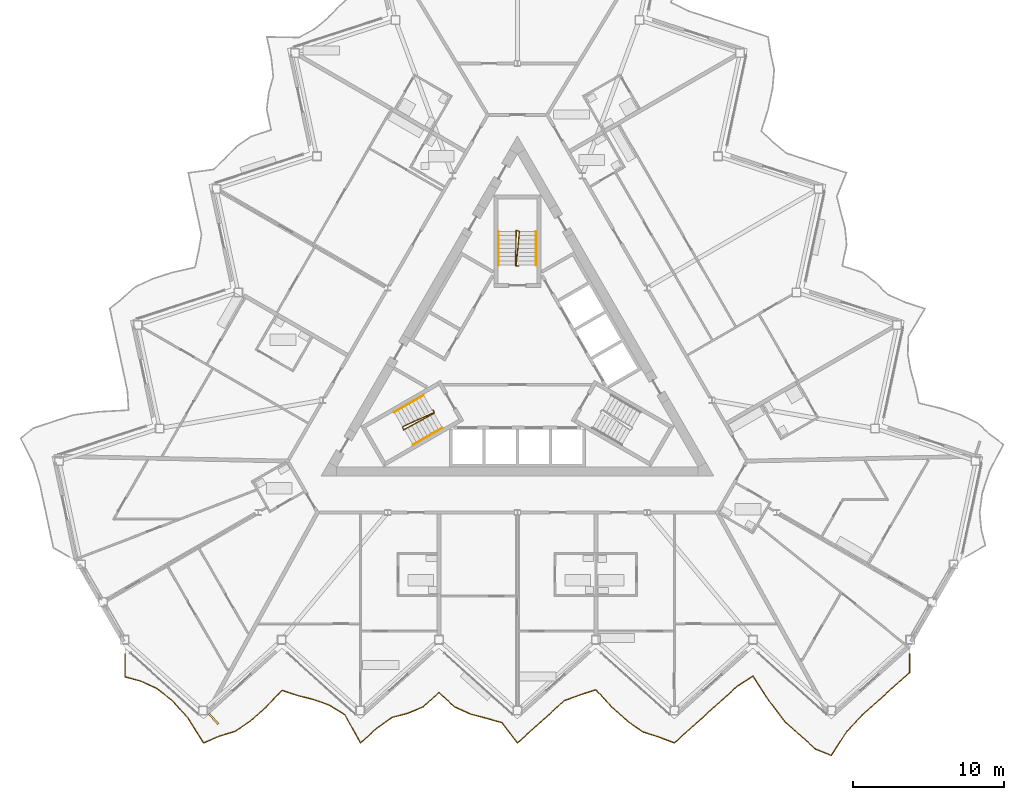
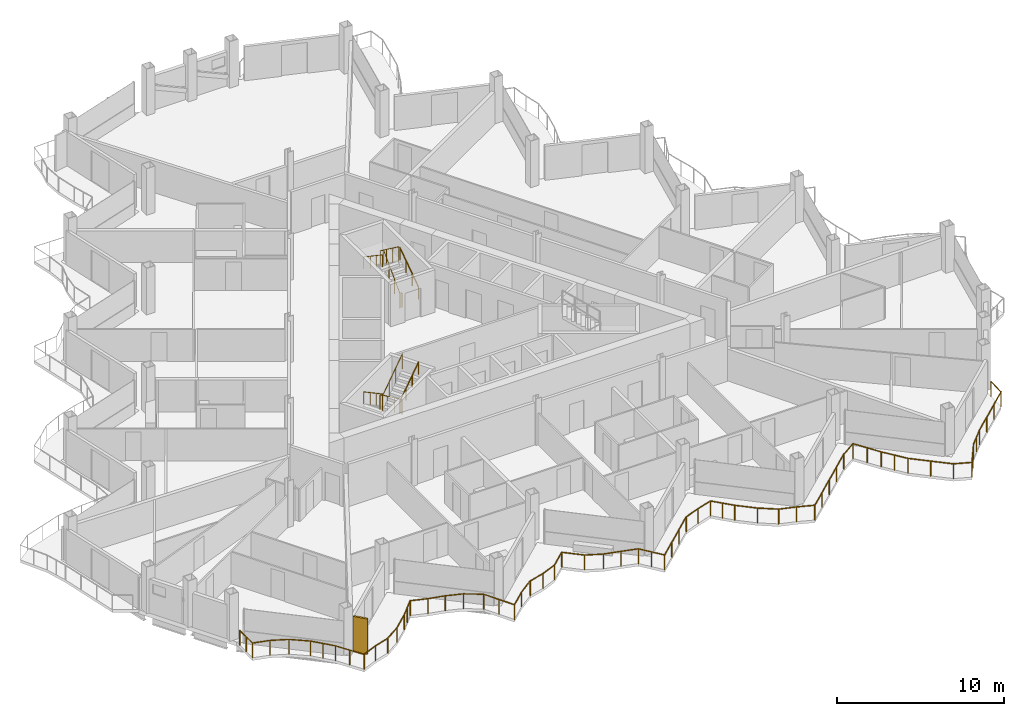
# One storey, part 23 of 27: 7 railings, 1 shading device.
"""IFC4 building model written with IfcOpenShell, lengths in metres."""

from ifc_helpers import new_model, si_unit, direction, frame, origin, origin_2d, place, context, subcontext, project, spatial, rectangle, circle, extrude, material, layer, layer_set, type_object, element, save


model = new_model("IFC4")

# Units and contexts
model_context = context("Model", 3, precision=1e-05, world=origin(), true_north=direction((0.0, 1.0)))
body_context = subcontext(model_context, "Body", "Model", "MODEL_VIEW")
ifc_project = project(units=[si_unit("LENGTHUNIT", "METRE"), si_unit("AREAUNIT", "SQUARE_METRE"), si_unit("VOLUMEUNIT", "CUBIC_METRE"), si_unit("PLANEANGLEUNIT", "RADIAN"), si_unit("MASSUNIT", "GRAM", prefix="KILO")], contexts=[model_context])

# Site, building, storey
site_placement = place(None, origin())
site = spatial("IfcSite", under=ifc_project, at=site_placement, CompositionType="ELEMENT")
building_placement = place(site_placement, origin())
building = spatial("IfcBuilding", under=site, at=building_placement, Name="Cormorant Prow Tower", CompositionType="ELEMENT")
storey_placement = place(building_placement, frame((0.0, 0.0, 318.800048828125)))
storey = spatial("IfcBuildingStorey", under=building, at=storey_placement, Name="L70", CompositionType="ELEMENT", Elevation=318.800048828125)

# Railings
ifc_material_1 = material(Name="Aluminium 6063-T6", Category="aluminium")
railing_type_1 = type_object("IfcRailingType", Name="Balcony guard 1100", PredefinedType="GUARDRAIL", material=ifc_material_1)
railing_1_placement = place(storey_placement, frame((-25.964111328125, -19.2666015625, 0.0)))
element("IfcRailing", 1, at=railing_1_placement, inside=storey, type_object=railing_type_1, Name="Balcony guard S", PredefinedType="GUARDRAIL", context=body_context, shape_type="SweptSolid", body=[
    extrude(circle(Radius=0.02392578125, at=origin_2d()), frame((0.0, 0.0, 1.076171875), z_axis=(0.0, -1.0, 0.0), x_axis=(1.0, 0.0, 0.0)), (0.0, 0.0, 1.0), 1.52001953125),
    extrude(circle(Radius=0.02392578125, at=origin_2d()), frame((0.0, -1.52001953125, 1.076171875), z_axis=(0.964831830716, -0.262867910625, 0.0), x_axis=(0.262867910625, 0.964831830716, 0.0)), (0.0, 0.0, 1.0), 1.076416015625),
    extrude(circle(Radius=0.02392578125, at=origin_2d()), frame((1.03857421875, -1.802978515625, 1.076171875), z_axis=(0.909529903983, -0.415638489267, 0.0), x_axis=(0.415638489267, 0.909529903983, 0.0)), (0.0, 0.0, 1.0), 1.141845703125),
    extrude(circle(Radius=0.02392578125, at=origin_2d()), frame((2.0771484375, -2.277587890625, 1.076171875), z_axis=(0.791751393424, -0.610843458679, 0.0), x_axis=(0.610843458679, 0.791751393424, 0.0)), (0.0, 0.0, 1.0), 1.311767578125),
    extrude(circle(Radius=0.02392578125, at=origin_2d()), frame((3.11572265625, -3.078857421875, 1.076171875), z_axis=(0.664654722426, -0.747150654123, 0.0), x_axis=(0.747150654123, 0.664654722426, 0.0)), (0.0, 0.0, 1.0), 1.5625),
    extrude(circle(Radius=0.02392578125, at=origin_2d()), frame((4.154296875, -4.246337890625, 1.076171875), z_axis=(0.532889683399, -0.846184722934, 0.0), x_axis=(0.846184722934, 0.532889683399, 0.0)), (0.0, 0.0, 1.0), 1.948974609375),
    extrude(circle(Radius=0.02392578125, at=origin_2d()), frame((5.19287109375, -5.8955078125, 1.076171875), z_axis=(0.918608052251, 0.395169895538, 0.0), x_axis=(-0.395169895538, 0.918608052251, 0.0)), (0.0, 0.0, 1.0), 1.130615234375),
    extrude(circle(Radius=0.02392578125, at=origin_2d()), frame((6.2314453125, -5.44873046875, 1.076171875), z_axis=(0.956152439164, 0.292869447163, 0.0), x_axis=(-0.292869447163, 0.956152439164, 0.0)), (0.0, 0.0, 1.0), 1.086181640625),
    extrude(circle(Radius=0.02392578125, at=origin_2d()), frame((7.27001953125, -5.130615234375, 1.076171875), z_axis=(0.832772402208, 0.553615503866, 0.0), x_axis=(-0.553615503866, 0.832772402208, 0.0)), (0.0, 0.0, 1.0), 1.2470703125),
    extrude(circle(Radius=0.02392578125, at=origin_2d()), frame((8.30859375, -4.440185546875, 1.076171875), z_axis=(0.743172519809, 0.669099847407, 0.0), x_axis=(-0.669099847407, 0.743172519809, 0.0)), (0.0, 0.0, 1.0), 1.3974609375),
    extrude(circle(Radius=0.02392578125, at=origin_2d()), frame((9.34716796875, -3.505126953125, 1.076171875), z_axis=(0.688817563116, 0.724934731368, 0.0), x_axis=(-0.724934731368, 0.688817563116, 0.0)), (0.0, 0.0, 1.0), 1.50732421875),
    extrude(circle(Radius=0.02392578125, at=origin_2d()), frame((10.385498046875, -2.412353515625, 1.076171875), z_axis=(0.948370798801, -0.317163724252, 0.0), x_axis=(0.317163724252, 0.948370798801, 0.0)), (0.0, 0.0, 1.0), 1.095458984375),
    extrude(circle(Radius=0.02392578125, at=origin_2d()), frame((11.42431640625, -2.759765625, 1.076171875), z_axis=(0.970490410078, -0.241139718724, 0.0), x_axis=(0.241139718724, 0.970490410078, 0.0)), (0.0, 0.0, 1.0), 1.070068359375),
    extrude(circle(Radius=0.02392578125, at=origin_2d()), frame((12.462890625, -3.017822265625, 1.076171875), z_axis=(0.942785531899, -0.333399821297, 0.0), x_axis=(0.333399821297, 0.942785531899, 0.0)), (0.0, 0.0, 1.0), 1.101318359375),
    extrude(circle(Radius=0.02392578125, at=origin_2d()), frame((13.501220703125, -3.385009765625, 1.076171875), z_axis=(0.850035108532, -0.526726033402, 0.0), x_axis=(0.526726033402, 0.850035108532, 0.0)), (0.0, 0.0, 1.0), 1.2216796875),
    extrude(circle(Radius=0.02392578125, at=origin_2d()), frame((14.539794921875, -4.028564453125, 1.076171875), z_axis=(0.486224960998, -0.873833672562, 0.0), x_axis=(0.873833672562, 0.486224960998, 0.0)), (0.0, 0.0, 1.0), 2.136474609375),
    extrude(circle(Radius=0.02392578125, at=origin_2d()), frame((15.57861328125, -5.8955078125, 1.076171875), z_axis=(0.743094292463, 0.669186724696, 0.0), x_axis=(-0.669186724696, 0.743094292463, 0.0)), (0.0, 0.0, 1.0), 1.397216796875),
    extrude(circle(Radius=0.02392578125, at=origin_2d()), frame((16.616943359375, -4.96044921875, 1.076171875), z_axis=(0.809352688534, 0.587322931242, 0.0), x_axis=(-0.587322931242, 0.809352688534, 0.0)), (0.0, 0.0, 1.0), 1.283203125),
    extrude(circle(Radius=0.02392578125, at=origin_2d()), frame((17.655517578125, -4.206787109375, 1.076171875), z_axis=(0.96810124115, 0.250559348027, 0.0), x_axis=(-0.250559348027, 0.96810124115, 0.0)), (0.0, 0.0, 1.0), 1.07275390625),
    extrude(circle(Radius=0.02392578125, at=origin_2d()), frame((18.694091796875, -3.93798828125, 1.076171875), z_axis=(0.92303840106, 0.384707824419, 0.0), x_axis=(-0.384707824419, 0.92303840106, 0.0)), (0.0, 0.0, 1.0), 1.125244140625),
    extrude(circle(Radius=0.02392578125, at=origin_2d()), frame((19.732666015625, -3.505126953125, 1.076171875), z_axis=(0.743085653119, 0.669196318077, 0.0), x_axis=(-0.669196318077, 0.743085653119, 0.0)), (0.0, 0.0, 1.0), 1.397705078125),
    extrude(circle(Radius=0.02392578125, at=origin_2d()), frame((20.771240234375, -2.56982421875, 1.076171875), z_axis=(0.743085653119, -0.669196318077, 0.0), x_axis=(0.669196318077, 0.743085653119, 0.0)), (0.0, 0.0, 1.0), 1.397705078125),
    extrude(circle(Radius=0.02392578125, at=origin_2d()), frame((21.809814453125, -3.505126953125, 1.076171875), z_axis=(0.908963631122, -0.416875421796, 0.0), x_axis=(0.416875421796, 0.908963631122, 0.0)), (0.0, 0.0, 1.0), 1.142578125),
    extrude(circle(Radius=0.02392578125, at=origin_2d()), frame((22.848388671875, -3.9814453125, 1.076171875), z_axis=(0.966989093264, -0.254817765291, 0.0), x_axis=(0.254817765291, 0.966989093264, 0.0)), (0.0, 0.0, 1.0), 1.073974609375),
    extrude(circle(Radius=0.02392578125, at=origin_2d()), frame((23.886962890625, -4.255126953125, 1.076171875), z_axis=(0.962085193341, -0.272749116871, 0.0), x_axis=(0.272749116871, 0.962085193341, 0.0)), (0.0, 0.0, 1.0), 1.07958984375),
    extrude(circle(Radius=0.02392578125, at=origin_2d()), frame((24.925537109375, -4.549560546875, 1.076171875), z_axis=(0.610903768439, -0.791704860227, 0.0), x_axis=(0.791704860227, 0.610903768439, 0.0)), (0.0, 0.0, 1.0), 1.699951171875),
    extrude(circle(Radius=0.02392578125, at=origin_2d()), frame((25.964111328125, -5.8955078125, 1.076171875), z_axis=(0.743172519809, 0.669099847407, 0.0), x_axis=(-0.669099847407, 0.743172519809, 0.0)), (0.0, 0.0, 1.0), 1.3974609375),
    extrude(circle(Radius=0.02392578125, at=origin_2d()), frame((27.002685546875, -4.96044921875, 1.076171875), z_axis=(0.743172519809, 0.669099847407, 0.0), x_axis=(-0.669099847407, 0.743172519809, 0.0)), (0.0, 0.0, 1.0), 1.3974609375),
    extrude(circle(Radius=0.02392578125, at=origin_2d()), frame((28.041259765625, -4.025390625, 1.076171875), z_axis=(0.743085653119, 0.669196318077, 0.0), x_axis=(-0.669196318077, 0.743085653119, 0.0)), (0.0, 0.0, 1.0), 1.397705078125),
    extrude(circle(Radius=0.02392578125, at=origin_2d()), frame((29.079833984375, -3.090087890625, 1.076171875), z_axis=(0.939786973148, 0.341760801001, 0.0), x_axis=(-0.341760801001, 0.939786973148, 0.0)), (0.0, 0.0, 1.0), 1.105224609375),
    extrude(circle(Radius=0.02392578125, at=origin_2d()), frame((30.118408203125, -2.71240234375, 1.076171875), z_axis=(0.951790825534, 0.306747818948, 0.0), x_axis=(-0.306747818948, 0.951790825534, 0.0)), (0.0, 0.0, 1.0), 1.091064453125),
    extrude(circle(Radius=0.02392578125, at=origin_2d()), frame((31.156982421875, -2.377685546875, 1.076171875), z_axis=(0.677525640029, -0.735499155067, 0.0), x_axis=(0.735499155067, 0.677525640029, 0.0)), (0.0, 0.0, 1.0), 1.532958984375),
    extrude(circle(Radius=0.02392578125, at=origin_2d()), frame((32.195556640625, -3.505126953125, 1.076171875), z_axis=(0.743172519809, -0.669099847407, 0.0), x_axis=(0.669099847407, 0.743172519809, 0.0)), (0.0, 0.0, 1.0), 1.3974609375),
    extrude(circle(Radius=0.02392578125, at=origin_2d()), frame((33.234130859375, -4.440185546875, 1.076171875), z_axis=(0.819213825821, -0.573488193064, 0.0), x_axis=(0.573488193064, 0.819213825821, 0.0)), (0.0, 0.0, 1.0), 1.267822265625),
    extrude(circle(Radius=0.02392578125, at=origin_2d()), frame((34.272705078125, -5.167236328125, 1.076171875), z_axis=(0.953219614945, -0.302278622605, 0.0), x_axis=(0.302278622605, 0.953219614945, 0.0)), (0.0, 0.0, 1.0), 1.089599609375),
    extrude(circle(Radius=0.02392578125, at=origin_2d()), frame((35.311279296875, -5.49658203125, 1.076171875), z_axis=(0.933475652817, -0.358640775148, 0.0), x_axis=(0.358640775148, 0.933475652817, 0.0)), (0.0, 0.0, 1.0), 1.1123046875),
    extrude(circle(Radius=0.02392578125, at=origin_2d()), frame((36.349609375, -5.8955078125, 1.076171875), z_axis=(0.743250716693, 0.669012983533, 0.0), x_axis=(-0.669012983533, 0.743250716693, 0.0)), (0.0, 0.0, 1.0), 1.397705078125),
    extrude(circle(Radius=0.02392578125, at=origin_2d()), frame((37.388427734375, -4.96044921875, 1.076171875), z_axis=(0.743172519809, 0.669099847407, 0.0), x_axis=(-0.669099847407, 0.743172519809, 0.0)), (0.0, 0.0, 1.0), 1.3974609375),
    extrude(circle(Radius=0.02392578125, at=origin_2d()), frame((38.427001953125, -4.025390625, 1.076171875), z_axis=(0.743007412363, 0.669283187577, 0.0), x_axis=(-0.669283187577, 0.743007412363, 0.0)), (0.0, 0.0, 1.0), 1.3974609375),
    extrude(circle(Radius=0.02392578125, at=origin_2d()), frame((39.46533203125, -3.090087890625, 1.076171875), z_axis=(0.743172519809, 0.669099847407, 0.0), x_axis=(-0.669099847407, 0.743172519809, 0.0)), (0.0, 0.0, 1.0), 1.3974609375),
    extrude(circle(Radius=0.02392578125, at=origin_2d()), frame((40.50390625, -2.155029296875, 1.076171875), z_axis=(0.835357772221, 0.549706642119, 0.0), x_axis=(-0.549706642119, 0.835357772221, 0.0)), (0.0, 0.0, 1.0), 1.24365234375),
    extrude(circle(Radius=0.02392578125, at=origin_2d()), frame((41.542724609375, -1.471435546875, 1.076171875), z_axis=(0.54587228611, -0.837868394951, 0.0), x_axis=(0.837868394951, 0.54587228611, 0.0)), (0.0, 0.0, 1.0), 1.902099609375),
    extrude(circle(Radius=0.02392578125, at=origin_2d()), frame((42.5810546875, -3.065185546875, 1.076171875), z_axis=(0.602716832864, -0.797955148728, 0.0), x_axis=(0.797955148728, 0.602716832864, 0.0)), (0.0, 0.0, 1.0), 1.72314453125),
    extrude(circle(Radius=0.02392578125, at=origin_2d()), frame((43.61962890625, -4.440185546875, 1.076171875), z_axis=(0.743172519809, -0.669099847407, 0.0), x_axis=(0.669099847407, 0.743172519809, 0.0)), (0.0, 0.0, 1.0), 1.3974609375),
    extrude(circle(Radius=0.02392578125, at=origin_2d()), frame((44.658203125, -5.375244140625, 1.076171875), z_axis=(0.746043449511, -0.665897267934, 0.0), x_axis=(0.665897267934, 0.746043449511, 0.0)), (0.0, 0.0, 1.0), 1.39208984375),
    extrude(circle(Radius=0.02392578125, at=origin_2d()), frame((45.69677734375, -6.30224609375, 1.076171875), z_axis=(0.926556741074, -0.37615502864, 0.0), x_axis=(0.37615502864, 0.926556741074, 0.0)), (0.0, 0.0, 1.0), 1.120849609375),
    extrude(circle(Radius=0.02392578125, at=origin_2d()), frame((46.7353515625, -6.723876953125, 1.076171875), z_axis=(0.543622130195, 0.839330077837, 0.0), x_axis=(-0.839330077837, 0.543622130195, 0.0)), (0.0, 0.0, 1.0), 1.910400390625),
    extrude(circle(Radius=0.02392578125, at=origin_2d()), frame((47.77392578125, -5.120361328125, 1.076171875), z_axis=(0.688175287314, 0.725544467232, 0.0), x_axis=(-0.725544467232, 0.688175287314, 0.0)), (0.0, 0.0, 1.0), 1.50927734375),
    extrude(circle(Radius=0.02392578125, at=origin_2d()), frame((48.8125, -4.025390625, 1.076171875), z_axis=(0.743085653119, 0.669196318077, 0.0), x_axis=(-0.669196318077, 0.743085653119, 0.0)), (0.0, 0.0, 1.0), 1.397705078125),
    extrude(circle(Radius=0.02392578125, at=origin_2d()), frame((49.85107421875, -3.090087890625, 1.076171875), z_axis=(0.743172519809, 0.669099847407, 0.0), x_axis=(-0.669099847407, 0.743172519809, 0.0)), (0.0, 0.0, 1.0), 1.3974609375),
    extrude(circle(Radius=0.02392578125, at=origin_2d()), frame((50.8896484375, -2.155029296875, 1.076171875), z_axis=(0.743172519809, 0.669099847407, 0.0), x_axis=(-0.669099847407, 0.743172519809, 0.0)), (0.0, 0.0, 1.0), 1.3974609375),
    extrude(circle(Radius=0.02392578125, at=origin_2d()), frame((51.92822265625, -1.219970703125, 1.076171875), z_axis=(0.0, 1.0, 0.0), x_axis=(-1.0, 0.0, 0.0)), (0.0, 0.0, 1.0), 1.219970703125),
    extrude(circle(Radius=0.02099609375, at=origin_2d()), origin(), (0.0, 0.0, 1.0), 1.052001953125),
    extrude(circle(Radius=0.02099609375, at=origin_2d()), frame((0.0, -0.760009765625, 0.0)), (0.0, 0.0, 1.0), 1.052001953125),
    extrude(circle(Radius=0.02099609375, at=origin_2d()), frame((0.0, -1.52001953125, 0.0)), (0.0, 0.0, 1.0), 1.052001953125),
    extrude(circle(Radius=0.02099609375, at=origin_2d()), frame((1.03857421875, -1.802978515625, 0.0)), (0.0, 0.0, 1.0), 1.052001953125),
    extrude(circle(Radius=0.02099609375, at=origin_2d()), frame((2.0771484375, -2.277587890625, 0.0)), (0.0, 0.0, 1.0), 1.052001953125),
    extrude(circle(Radius=0.02099609375, at=origin_2d()), frame((3.11572265625, -3.078857421875, 0.0)), (0.0, 0.0, 1.0), 1.052001953125),
    extrude(circle(Radius=0.02099609375, at=origin_2d()), frame((3.635009765625, -3.66259765625, 0.0)), (0.0, 0.0, 1.0), 1.052001953125),
    extrude(circle(Radius=0.02099609375, at=origin_2d()), frame((4.154296875, -4.246337890625, 0.0)), (0.0, 0.0, 1.0), 1.052001953125),
    extrude(circle(Radius=0.02099609375, at=origin_2d()), frame((4.673583984375, -5.07080078125, 0.0)), (0.0, 0.0, 1.0), 1.052001953125),
    extrude(circle(Radius=0.02099609375, at=origin_2d()), frame((5.19287109375, -5.8955078125, 0.0)), (0.0, 0.0, 1.0), 1.052001953125),
    extrude(circle(Radius=0.02099609375, at=origin_2d()), frame((6.2314453125, -5.44873046875, 0.0)), (0.0, 0.0, 1.0), 1.052001953125),
    extrude(circle(Radius=0.02099609375, at=origin_2d()), frame((7.27001953125, -5.130615234375, 0.0)), (0.0, 0.0, 1.0), 1.052001953125),
    extrude(circle(Radius=0.02099609375, at=origin_2d()), frame((8.30859375, -4.440185546875, 0.0)), (0.0, 0.0, 1.0), 1.052001953125),
    extrude(circle(Radius=0.02099609375, at=origin_2d()), frame((9.34716796875, -3.505126953125, 0.0)), (0.0, 0.0, 1.0), 1.052001953125),
    extrude(circle(Radius=0.02099609375, at=origin_2d()), frame((9.8662109375, -2.958740234375, 0.0)), (0.0, 0.0, 1.0), 1.052001953125),
    extrude(circle(Radius=0.02099609375, at=origin_2d()), frame((10.385498046875, -2.412353515625, 0.0)), (0.0, 0.0, 1.0), 1.052001953125),
    extrude(circle(Radius=0.02099609375, at=origin_2d()), frame((11.42431640625, -2.759765625, 0.0)), (0.0, 0.0, 1.0), 1.052001953125),
    extrude(circle(Radius=0.02099609375, at=origin_2d()), frame((12.462890625, -3.017822265625, 0.0)), (0.0, 0.0, 1.0), 1.052001953125),
    extrude(circle(Radius=0.02099609375, at=origin_2d()), frame((13.501220703125, -3.385009765625, 0.0)), (0.0, 0.0, 1.0), 1.052001953125),
    extrude(circle(Radius=0.02099609375, at=origin_2d()), frame((14.539794921875, -4.028564453125, 0.0)), (0.0, 0.0, 1.0), 1.052001953125),
    extrude(circle(Radius=0.02099609375, at=origin_2d()), frame((15.05908203125, -4.9619140625, 0.0)), (0.0, 0.0, 1.0), 1.052001953125),
    extrude(circle(Radius=0.02099609375, at=origin_2d()), frame((15.57861328125, -5.8955078125, 0.0)), (0.0, 0.0, 1.0), 1.052001953125),
    extrude(circle(Radius=0.02099609375, at=origin_2d()), frame((16.616943359375, -4.96044921875, 0.0)), (0.0, 0.0, 1.0), 1.052001953125),
    extrude(circle(Radius=0.02099609375, at=origin_2d()), frame((17.655517578125, -4.206787109375, 0.0)), (0.0, 0.0, 1.0), 1.052001953125),
    extrude(circle(Radius=0.02099609375, at=origin_2d()), frame((18.694091796875, -3.93798828125, 0.0)), (0.0, 0.0, 1.0), 1.052001953125),
    extrude(circle(Radius=0.02099609375, at=origin_2d()), frame((19.732666015625, -3.505126953125, 0.0)), (0.0, 0.0, 1.0), 1.052001953125),
    extrude(circle(Radius=0.02099609375, at=origin_2d()), frame((20.771240234375, -2.56982421875, 0.0)), (0.0, 0.0, 1.0), 1.052001953125),
    extrude(circle(Radius=0.02099609375, at=origin_2d()), frame((21.809814453125, -3.505126953125, 0.0)), (0.0, 0.0, 1.0), 1.052001953125),
    extrude(circle(Radius=0.02099609375, at=origin_2d()), frame((22.848388671875, -3.9814453125, 0.0)), (0.0, 0.0, 1.0), 1.052001953125),
    extrude(circle(Radius=0.02099609375, at=origin_2d()), frame((23.886962890625, -4.255126953125, 0.0)), (0.0, 0.0, 1.0), 1.052001953125),
    extrude(circle(Radius=0.02099609375, at=origin_2d()), frame((24.925537109375, -4.549560546875, 0.0)), (0.0, 0.0, 1.0), 1.052001953125),
    extrude(circle(Radius=0.02099609375, at=origin_2d()), frame((25.44482421875, -5.22265625, 0.0)), (0.0, 0.0, 1.0), 1.052001953125),
    extrude(circle(Radius=0.02099609375, at=origin_2d()), frame((25.964111328125, -5.8955078125, 0.0)), (0.0, 0.0, 1.0), 1.052001953125),
    extrude(circle(Radius=0.02099609375, at=origin_2d()), frame((27.002685546875, -4.96044921875, 0.0)), (0.0, 0.0, 1.0), 1.052001953125),
    extrude(circle(Radius=0.02099609375, at=origin_2d()), frame((28.041259765625, -4.025390625, 0.0)), (0.0, 0.0, 1.0), 1.052001953125),
    extrude(circle(Radius=0.02099609375, at=origin_2d()), frame((29.079833984375, -3.090087890625, 0.0)), (0.0, 0.0, 1.0), 1.052001953125),
    extrude(circle(Radius=0.02099609375, at=origin_2d()), frame((30.118408203125, -2.71240234375, 0.0)), (0.0, 0.0, 1.0), 1.052001953125),
    extrude(circle(Radius=0.02099609375, at=origin_2d()), frame((31.156982421875, -2.377685546875, 0.0)), (0.0, 0.0, 1.0), 1.052001953125),
    extrude(circle(Radius=0.02099609375, at=origin_2d()), frame((31.67626953125, -2.94140625, 0.0)), (0.0, 0.0, 1.0), 1.052001953125),
    extrude(circle(Radius=0.02099609375, at=origin_2d()), frame((32.195556640625, -3.505126953125, 0.0)), (0.0, 0.0, 1.0), 1.052001953125),
    extrude(circle(Radius=0.02099609375, at=origin_2d()), frame((33.234130859375, -4.440185546875, 0.0)), (0.0, 0.0, 1.0), 1.052001953125),
    extrude(circle(Radius=0.02099609375, at=origin_2d()), frame((34.272705078125, -5.167236328125, 0.0)), (0.0, 0.0, 1.0), 1.052001953125),
    extrude(circle(Radius=0.02099609375, at=origin_2d()), frame((35.311279296875, -5.49658203125, 0.0)), (0.0, 0.0, 1.0), 1.052001953125),
    extrude(circle(Radius=0.02099609375, at=origin_2d()), frame((36.349609375, -5.8955078125, 0.0)), (0.0, 0.0, 1.0), 1.052001953125),
    extrude(circle(Radius=0.02099609375, at=origin_2d()), frame((37.388427734375, -4.96044921875, 0.0)), (0.0, 0.0, 1.0), 1.052001953125),
    extrude(circle(Radius=0.02099609375, at=origin_2d()), frame((38.427001953125, -4.025390625, 0.0)), (0.0, 0.0, 1.0), 1.052001953125),
    extrude(circle(Radius=0.02099609375, at=origin_2d()), frame((39.46533203125, -3.090087890625, 0.0)), (0.0, 0.0, 1.0), 1.052001953125),
    extrude(circle(Radius=0.02099609375, at=origin_2d()), frame((40.50390625, -2.155029296875, 0.0)), (0.0, 0.0, 1.0), 1.052001953125),
    extrude(circle(Radius=0.02099609375, at=origin_2d()), frame((41.542724609375, -1.471435546875, 0.0)), (0.0, 0.0, 1.0), 1.052001953125),
    extrude(circle(Radius=0.02099609375, at=origin_2d()), frame((42.06201171875, -2.268310546875, 0.0)), (0.0, 0.0, 1.0), 1.052001953125),
    extrude(circle(Radius=0.02099609375, at=origin_2d()), frame((42.5810546875, -3.065185546875, 0.0)), (0.0, 0.0, 1.0), 1.052001953125),
    extrude(circle(Radius=0.02099609375, at=origin_2d()), frame((43.100341796875, -3.752685546875, 0.0)), (0.0, 0.0, 1.0), 1.052001953125),
    extrude(circle(Radius=0.02099609375, at=origin_2d()), frame((43.61962890625, -4.440185546875, 0.0)), (0.0, 0.0, 1.0), 1.052001953125),
    extrude(circle(Radius=0.02099609375, at=origin_2d()), frame((44.658203125, -5.375244140625, 0.0)), (0.0, 0.0, 1.0), 1.052001953125),
    extrude(circle(Radius=0.02099609375, at=origin_2d()), frame((45.69677734375, -6.30224609375, 0.0)), (0.0, 0.0, 1.0), 1.052001953125),
    extrude(circle(Radius=0.02099609375, at=origin_2d()), frame((46.7353515625, -6.723876953125, 0.0)), (0.0, 0.0, 1.0), 1.052001953125),
    extrude(circle(Radius=0.02099609375, at=origin_2d()), frame((47.254638671875, -5.922119140625, 0.0)), (0.0, 0.0, 1.0), 1.052001953125),
    extrude(circle(Radius=0.02099609375, at=origin_2d()), frame((47.77392578125, -5.120361328125, 0.0)), (0.0, 0.0, 1.0), 1.052001953125),
    extrude(circle(Radius=0.02099609375, at=origin_2d()), frame((48.293212890625, -4.57275390625, 0.0)), (0.0, 0.0, 1.0), 1.052001953125),
    extrude(circle(Radius=0.02099609375, at=origin_2d()), frame((48.8125, -4.025390625, 0.0)), (0.0, 0.0, 1.0), 1.052001953125),
    extrude(circle(Radius=0.02099609375, at=origin_2d()), frame((49.85107421875, -3.090087890625, 0.0)), (0.0, 0.0, 1.0), 1.052001953125),
    extrude(circle(Radius=0.02099609375, at=origin_2d()), frame((50.8896484375, -2.155029296875, 0.0)), (0.0, 0.0, 1.0), 1.052001953125),
    extrude(circle(Radius=0.02099609375, at=origin_2d()), frame((51.92822265625, -1.219970703125, 0.0)), (0.0, 0.0, 1.0), 1.052001953125),
    extrude(circle(Radius=0.02099609375, at=origin_2d()), frame((51.92822265625, 0.0, 0.0)), (0.0, 0.0, 1.0), 1.052001953125),
])
ifc_material_2 = material(Name="Stainless steel", Category="steel")
railing_type_2 = type_object("IfcRailingType", Name="Stair guard 1100", PredefinedType="GUARDRAIL", material=ifc_material_2)
railing_2_placement = place(storey_placement, frame((-5.585205078125, -3.137939453125, 0.0)))
element("IfcRailing", 2, at=railing_2_placement, inside=storey, type_object=railing_type_2, Name="L70 ST1 stair guard 1", PredefinedType="GUARDRAIL", context=body_context, shape_type="SweptSolid", body=[
    extrude(circle(Radius=0.02392578125, at=origin_2d()), frame((0.0, 0.0, 1.076171875), z_axis=(0.501036270542, -0.865426285481, 0.0), x_axis=(0.865426285481, 0.501036270542, 0.0)), (0.0, 0.0, 1.0), 0.150146484375),
    extrude(circle(Radius=0.02392578125, at=origin_2d()), frame((0.0751953125, -0.1298828125, 1.076171875), z_axis=(-0.728641035543, -0.339941399566, 0.594577233152), x_axis=(0.422792438952, -0.906226546491, 0.0)), (0.0, 0.0, 1.0), 2.859130859375),
    extrude(circle(Radius=0.02392578125, at=origin_2d()), frame((-2.008056640625, -1.101806640625, 2.77587890625), z_axis=(0.275034262293, -0.961434425515, 0.0), x_axis=(0.961434425515, 0.275034262293, 0.0)), (0.0, 0.0, 1.0), 0.2060546875),
    extrude(circle(Radius=0.02392578125, at=origin_2d()), frame((-1.951416015625, -1.2998046875, 2.77587890625), z_axis=(0.704058451865, 0.386179398835, 0.595959032378), x_axis=(-0.480911908544, 0.87676891837, 0.0)), (0.0, 0.0, 1.0), 2.8525390625),
    extrude(circle(Radius=0.02099609375, at=origin_2d()), origin(), (0.0, 0.0, 1.0), 1.052001953125),
    extrude(circle(Radius=0.02099609375, at=origin_2d()), frame((0.0751953125, -0.1298828125, 0.0)), (0.0, 0.0, 1.0), 1.052001953125),
    extrude(circle(Radius=0.02099609375, at=origin_2d()), frame((-0.619140625, -0.453857421875, 0.566650390625)), (0.0, 0.0, 1.0), 1.052001953125),
    extrude(circle(Radius=0.02099609375, at=origin_2d()), frame((-1.313720703125, -0.77783203125, 1.13330078125)), (0.0, 0.0, 1.0), 1.052001953125),
    extrude(circle(Radius=0.02099609375, at=origin_2d()), frame((-2.008056640625, -1.101806640625, 1.699951171875)), (0.0, 0.0, 1.0), 1.052001953125),
    extrude(circle(Radius=0.02099609375, at=origin_2d()), frame((-1.951416015625, -1.2998046875, 1.699951171875)), (0.0, 0.0, 1.0), 1.052001953125),
    extrude(circle(Radius=0.02099609375, at=origin_2d()), frame((-1.281982421875, -0.9326171875, 2.2666015625)), (0.0, 0.0, 1.0), 1.052001953125),
    extrude(circle(Radius=0.02099609375, at=origin_2d()), frame((-0.612548828125, -0.5654296875, 2.833251953125)), (0.0, 0.0, 1.0), 1.052001953125),
    extrude(circle(Radius=0.02099609375, at=origin_2d()), frame((0.056884765625, -0.1982421875, 3.39990234375)), (0.0, 0.0, 1.0), 1.052001953125),
])
railing_3_placement = place(storey_placement, frame((0.074951171875, 6.40576171875, 0.0)))
element("IfcRailing", 3, at=railing_3_placement, inside=storey, type_object=railing_type_2, Name="L70 ST3 stair guard 1", PredefinedType="GUARDRAIL", context=body_context, shape_type="SweptSolid", body=[
    extrude(circle(Radius=0.02392578125, at=origin_2d()), frame((0.0, 0.0, 1.076171875), z_axis=(-1.0, 0.0, 0.0), x_axis=(0.0, -1.0, 0.0)), (0.0, 0.0, 1.0), 0.14990234375),
    extrude(circle(Radius=0.02392578125, at=origin_2d()), frame((-0.14990234375, 0.0, 1.076171875), z_axis=(0.069936542308, 0.800982621307, 0.594588698525), x_axis=(-0.996209839609, 0.086982500921, 0.0)), (0.0, 0.0, 1.0), 2.859130859375),
    extrude(circle(Radius=0.02392578125, at=origin_2d()), frame((0.050048828125, 2.2900390625, 2.77587890625), z_axis=(-0.970072785993, 0.242814311512, 0.0), x_axis=(-0.242814311512, -0.970072785993, 0.0)), (0.0, 0.0, 1.0), 0.2060546875),
    extrude(circle(Radius=0.02392578125, at=origin_2d()), frame((-0.14990234375, 2.340087890625, 2.77587890625), z_axis=(-0.017545750742, -0.80282508275, 0.595956402045), x_axis=(0.999761264773, -0.0218497931, 0.0)), (0.0, 0.0, 1.0), 2.8525390625),
    extrude(circle(Radius=0.02099609375, at=origin_2d()), origin(), (0.0, 0.0, 1.0), 1.052001953125),
    extrude(circle(Radius=0.02099609375, at=origin_2d()), frame((-0.14990234375, 0.0, 0.0)), (0.0, 0.0, 1.0), 1.052001953125),
    extrude(circle(Radius=0.02099609375, at=origin_2d()), frame((-0.083251953125, 0.763427734375, 0.566650390625)), (0.0, 0.0, 1.0), 1.052001953125),
    extrude(circle(Radius=0.02099609375, at=origin_2d()), frame((-0.0166015625, 1.526611328125, 1.13330078125)), (0.0, 0.0, 1.0), 1.052001953125),
    extrude(circle(Radius=0.02099609375, at=origin_2d()), frame((0.050048828125, 2.2900390625, 1.699951171875)), (0.0, 0.0, 1.0), 1.052001953125),
    extrude(circle(Radius=0.02099609375, at=origin_2d()), frame((-0.14990234375, 2.340087890625, 1.699951171875)), (0.0, 0.0, 1.0), 1.052001953125),
    extrude(circle(Radius=0.02099609375, at=origin_2d()), frame((-0.16650390625, 1.57666015625, 2.2666015625)), (0.0, 0.0, 1.0), 1.052001953125),
    extrude(circle(Radius=0.02099609375, at=origin_2d()), frame((-0.183349609375, 0.8134765625, 2.833251953125)), (0.0, 0.0, 1.0), 1.052001953125),
    extrude(circle(Radius=0.02099609375, at=origin_2d()), frame((-0.199951171875, 0.050048828125, 3.39990234375)), (0.0, 0.0, 1.0), 1.052001953125),
])
ifc_material_3 = material(Name="Stainless steel", Category="steel")
railing_type_3 = type_object("IfcRailingType", Name="Stair handrail 900", PredefinedType="HANDRAIL", material=ifc_material_3)
railing_4_placement = place(storey_placement, frame((-6.212890625, -2.150634765625, 0.188720703125)))
element("IfcRailing", 4, at=railing_4_placement, inside=storey, type_object=railing_type_3, Name="L70 ST1 stair handrail 1", PredefinedType="HANDRAIL", context=body_context, shape_type="SweptSolid", body=[
    extrude(circle(Radius=0.02392578125, at=origin_2d()), frame((0.0, 0.0, 0.8759765625), z_axis=(-0.717940317343, -0.414446543626, 0.55928147047), x_axis=(0.49994888933, -0.866054910533, 0.0)), (0.0, 0.0, 1.0), 2.7021484375),
    extrude(circle(Radius=0.02099609375, at=origin_2d()), origin(), (0.0, 0.0, 1.0), 0.851806640625),
    extrude(circle(Radius=0.02099609375, at=origin_2d()), frame((-0.646728515625, -0.373291015625, 0.503662109375)), (0.0, 0.0, 1.0), 0.851806640625),
    extrude(circle(Radius=0.02099609375, at=origin_2d()), frame((-1.293212890625, -0.74658203125, 1.007568359375)), (0.0, 0.0, 1.0), 0.851806640625),
    extrude(circle(Radius=0.02099609375, at=origin_2d()), frame((-1.93994140625, -1.119873046875, 1.51123046875)), (0.0, 0.0, 1.0), 0.851806640625),
])
railing_5_placement = place(storey_placement, frame((-6.90869140625, -5.42529296875, 1.888916015625)))
element("IfcRailing", 5, at=railing_5_placement, inside=storey, type_object=railing_type_3, Name="L70 ST1 stair handrail 2", PredefinedType="HANDRAIL", context=body_context, shape_type="SweptSolid", body=[
    extrude(circle(Radius=0.02392578125, at=origin_2d()), frame((0.0, 0.0, 0.8759765625), z_axis=(0.71790592183, 0.414569209485, 0.559234707389), x_axis=(-0.500077830873, 0.865980463445, 0.0)), (0.0, 0.0, 1.0), 2.701904296875),
    extrude(circle(Radius=0.02099609375, at=origin_2d()), origin(), (0.0, 0.0, 1.0), 0.851806640625),
    extrude(circle(Radius=0.02099609375, at=origin_2d()), frame((0.646484375, 0.373291015625, 0.503662109375)), (0.0, 0.0, 1.0), 0.851806640625),
    extrude(circle(Radius=0.02099609375, at=origin_2d()), frame((1.293212890625, 0.746826171875, 1.00732421875)), (0.0, 0.0, 1.0), 0.851806640625),
    extrude(circle(Radius=0.02099609375, at=origin_2d()), frame((1.939697265625, 1.1201171875, 1.510986328125)), (0.0, 0.0, 1.0), 0.851806640625),
])
railing_6_placement = place(storey_placement, frame((1.243896484375, 6.455810546875, 0.188720703125)))
element("IfcRailing", 6, at=railing_6_placement, inside=storey, type_object=railing_type_3, Name="L70 ST3 stair handrail 1", PredefinedType="HANDRAIL", context=body_context, shape_type="SweptSolid", body=[
    extrude(circle(Radius=0.02392578125, at=origin_2d()), frame((0.0, 0.0, 0.8759765625), z_axis=(0.0, 0.828979582247, 0.559278868023), x_axis=(-1.0, 0.0, 0.0)), (0.0, 0.0, 1.0), 2.7021484375),
    extrude(circle(Radius=0.02099609375, at=origin_2d()), origin(), (0.0, 0.0, 1.0), 0.851806640625),
    extrude(circle(Radius=0.02099609375, at=origin_2d()), frame((0.0, 0.74658203125, 0.503662109375)), (0.0, 0.0, 1.0), 0.851806640625),
    extrude(circle(Radius=0.02099609375, at=origin_2d()), frame((0.0, 1.493408203125, 1.007568359375)), (0.0, 0.0, 1.0), 0.851806640625),
    extrude(circle(Radius=0.02099609375, at=origin_2d()), frame((0.0, 2.239990234375, 1.51123046875)), (0.0, 0.0, 1.0), 0.851806640625),
])
railing_7_placement = place(storey_placement, frame((-1.243896484375, 8.69580078125, 1.888916015625)))
element("IfcRailing", 7, at=railing_7_placement, inside=storey, type_object=railing_type_3, Name="L70 ST3 stair handrail 2", PredefinedType="HANDRAIL", context=body_context, shape_type="SweptSolid", body=[
    extrude(circle(Radius=0.02392578125, at=origin_2d()), frame((0.0, 0.0, 0.8759765625), z_axis=(0.0, -0.829021472004, 0.559216772778), x_axis=(1.0, 0.0, 0.0)), (0.0, 0.0, 1.0), 2.701904296875),
    extrude(circle(Radius=0.02099609375, at=origin_2d()), origin(), (0.0, 0.0, 1.0), 0.851806640625),
    extrude(circle(Radius=0.02099609375, at=origin_2d()), frame((0.0, -0.74658203125, 0.503662109375)), (0.0, 0.0, 1.0), 0.851806640625),
    extrude(circle(Radius=0.02099609375, at=origin_2d()), frame((0.0, -1.493408203125, 1.00732421875)), (0.0, 0.0, 1.0), 0.851806640625),
    extrude(circle(Radius=0.02099609375, at=origin_2d()), frame((0.0, -2.239990234375, 1.510986328125)), (0.0, 0.0, 1.0), 0.851806640625),
])

# Shading device
ifc_material_4 = material(Name="Terracotta", Category="masonry")
ifc_layer = layer(ifc_material_4, 0.1201171875)
ifc_layer_set = layer_set([ifc_layer], Name="Terracotta")
shading_device_type = type_object("IfcShadingDeviceType", Name="Terracotta baguette fin 120x900x2600", PredefinedType="USERDEFINED", material=ifc_layer_set)
shading_device_placement = place(storey_placement, frame((-20.10302734375, -23.566162109375, 0.0), z_axis=(0.0, 0.0, 1.0), x_axis=(0.743144813413, 0.669130619757, 0.0)))
element("IfcShadingDevice", 8, at=shading_device_placement, inside=storey, type_object=shading_device_type, Name="Baguette fin S01", ObjectType="BAGUETTE", PredefinedType="USERDEFINED", context=body_context, shape_type="SweptSolid", body=[
    extrude(rectangle(XDim=0.1201171875, YDim=0.89990234375, at=origin_2d()), origin(), (0.0, 0.0, 1.0), 2.60009765625),
])

save(model, "model.ifc")
